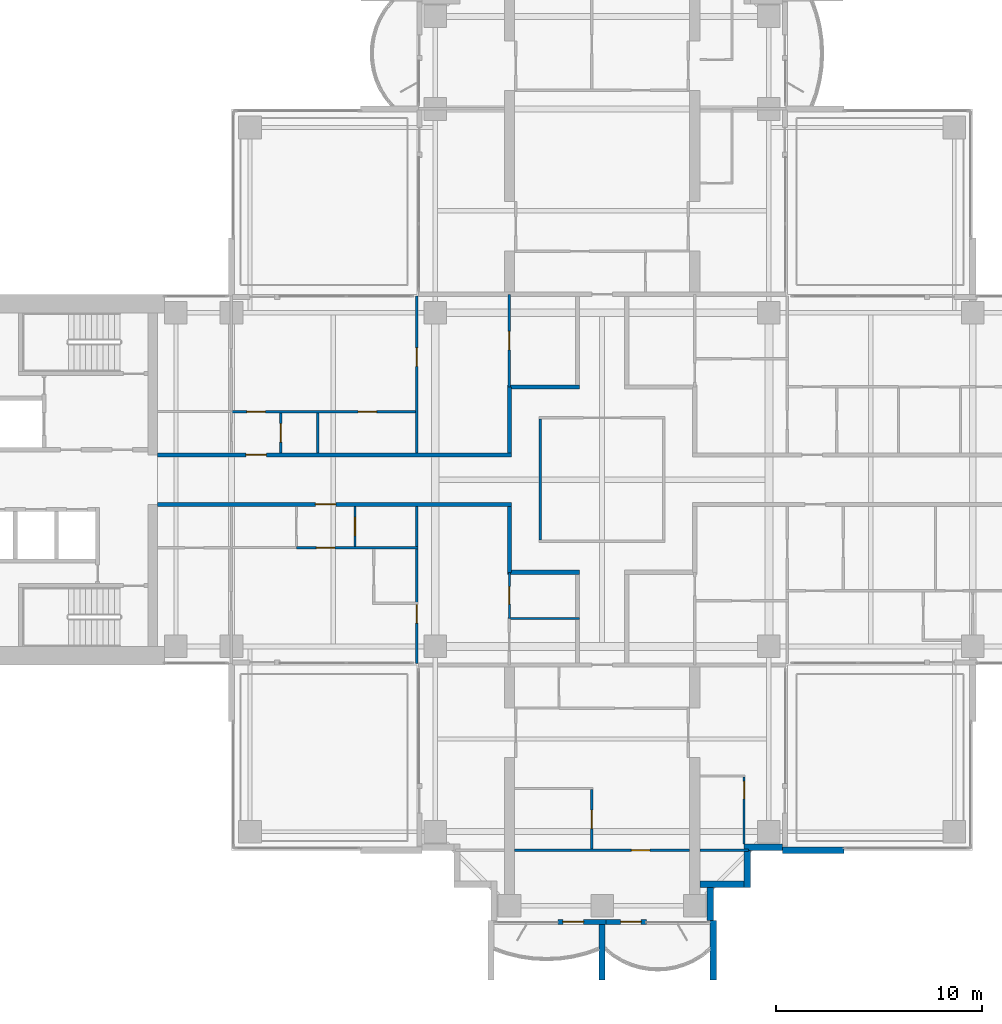
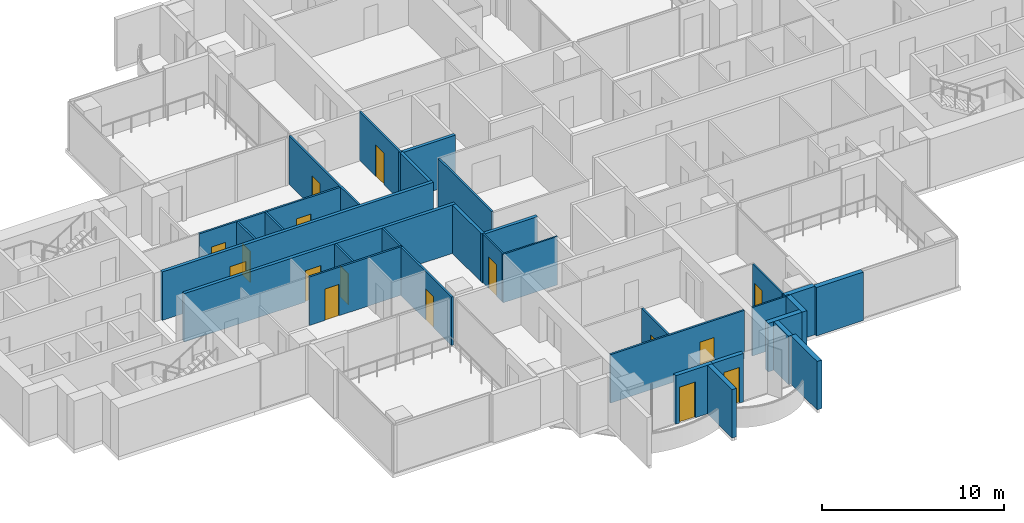
# One storey, part 10 of 19: 30 walls, 16 doors, 16 openings.
"""IFC4 building model written with IfcOpenShell, lengths in metres."""

from ifc_helpers import new_model, si_unit, direction, frame, frame_2d, origin, place, context, subcontext, project, spatial, rectangle, extrude, material, layer, layer_set, type_object, element, fill, save


model = new_model("IFC4")

# Units and contexts
model_context = context("Model", 3, precision=1e-05, world=origin(), true_north=direction((0.0, 1.0)))
body_context = subcontext(model_context, "Body", "Model", "MODEL_VIEW")
ifc_project = project(units=[si_unit("LENGTHUNIT", "METRE"), si_unit("AREAUNIT", "SQUARE_METRE"), si_unit("VOLUMEUNIT", "CUBIC_METRE"), si_unit("PLANEANGLEUNIT", "RADIAN"), si_unit("MASSUNIT", "GRAM", prefix="KILO")], contexts=[model_context])

# Site, building, storey
site_placement = place(None, origin())
site = spatial("IfcSite", under=ifc_project, at=site_placement, CompositionType="ELEMENT")
building_placement = place(site_placement, origin())
building = spatial("IfcBuilding", under=site, at=building_placement, Name="Perihelion Cross Residences", CompositionType="ELEMENT")
storey_placement = place(building_placement, frame((0.0, 0.0, 112.89990234375)))
storey = spatial("IfcBuildingStorey", under=building, at=storey_placement, Name="L26", CompositionType="ELEMENT", Elevation=112.89990234375)

# Wall, opening, door
ifc_material_1 = material(Name="Plasterboard partition")
ifc_layer_1 = layer(ifc_material_1, 0.199951171875)
ifc_layer_set_1 = layer_set([ifc_layer_1], Name="Apartment separation wall 200")
wall_type_1 = type_object("IfcWallType", Name="Apartment separation wall 200", PredefinedType="PARTITIONING", material=ifc_layer_set_1)
wall_1_placement = place(storey_placement, frame((-21.60009765625, 1.199951171875, 0.0), z_axis=(0.0, 0.0, 1.0), x_axis=(1.0, 0.0, 0.0)))
wall_1 = element("IfcWall", 1, at=wall_1_placement, inside=storey, type_object=wall_type_1, Name="Partition L26 W013", PredefinedType="PARTITIONING", context=body_context, shape_type="SweptSolid", body=[
    extrude(rectangle(XDim=17.2001953125, YDim=0.199951171875, at=frame_2d((8.60009765625, 0.0))), origin(), (0.0, 0.0, 1.0), 3.25),
])
opening_1_placement = place(wall_1_placement, frame((4.300048828125, 0.0, 0.0)))
opening_1 = element("IfcOpeningElement", 2, at=opening_1_placement, cuts=wall_1, Name="Opening L26.A51", PredefinedType="OPENING", context=body_context, shape_type="SweptSolid", body=[
    extrude(rectangle(XDim=1.0, YDim=2.10009765625, at=frame_2d((0.5, 1.050048828125))), frame((0.0, 0.10986328125, 0.0), z_axis=(0.0, -1.0, 0.0), x_axis=(1.0, 0.0, 0.0)), (0.0, 0.0, 1.0), 0.219970703125),
])
ifc_material_2 = material(Name="Timber door leaf", Category="wood")
door_type_1 = type_object("IfcDoorType", Name="Flat entrance door 1000 x 2100", OperationType="SINGLE_SWING_LEFT", PredefinedType="DOOR", material=ifc_material_2)
door_1_placement = place(opening_1_placement, origin())
door_1 = element("IfcDoor", 3, at=door_1_placement, inside=storey, type_object=door_type_1, Name="Door L26.A51", OperationType="SINGLE_SWING_LEFT", OverallHeight=2.10009765625, OverallWidth=1.0, PredefinedType="DOOR", context=body_context, shape_type="SweptSolid", body=[
    extrude(rectangle(XDim=1.0, YDim=2.10009765625, at=frame_2d((0.5, 1.050048828125))), frame((0.0, 0.02490234375, 0.0), z_axis=(0.0, -1.0, 0.0), x_axis=(1.0, 0.0, 0.0)), (0.0, 0.0, 1.0), 0.050048828125),
])
fill(opening_1, door_1)

# Walls
wall_2_placement = place(storey_placement, frame((-4.5, 1.300048828125, 0.0), z_axis=(0.0, 0.0, 1.0), x_axis=(0.0, 1.0, 0.0)))
element("IfcWall", 4, at=wall_2_placement, inside=storey, type_object=wall_type_1, Name="Partition L26 W014", PredefinedType="PARTITIONING", context=body_context, shape_type="SweptSolid", body=[
    extrude(rectangle(XDim=3.199951171875, YDim=0.199951171875, at=frame_2d((1.60009765625, 0.0))), origin(), (0.0, 0.0, 1.0), 3.25),
])
wall_3_placement = place(storey_placement, frame((-4.60009765625, 4.5, 0.0), z_axis=(0.0, 0.0, 1.0), x_axis=(1.0, 0.0, 0.0)))
element("IfcWall", 5, at=wall_3_placement, inside=storey, type_object=wall_type_1, Name="Partition L26 W015", PredefinedType="PARTITIONING", context=body_context, shape_type="SweptSolid", body=[
    extrude(rectangle(XDim=3.5, YDim=0.199951171875, at=frame_2d((1.75, 0.0))), origin(), (0.0, 0.0, 1.0), 3.25),
])

# Wall, opening, door
wall_4_placement = place(storey_placement, frame((-4.39990234375, -1.199951171875, 0.0), z_axis=(0.0, 0.0, 1.0), x_axis=(-1.0, 0.0, 0.0)))
wall_4 = element("IfcWall", 6, at=wall_4_placement, inside=storey, type_object=wall_type_1, Name="Partition L26 W017", PredefinedType="PARTITIONING", context=body_context, shape_type="SweptSolid", body=[
    extrude(rectangle(XDim=17.2001953125, YDim=0.199951171875, at=frame_2d((8.60009765625, 0.0))), origin(), (0.0, 0.0, 1.0), 3.25),
])
opening_2_placement = place(wall_4_placement, frame((8.52490234375, 0.0, 0.0)))
opening_2 = element("IfcOpeningElement", 7, at=opening_2_placement, cuts=wall_4, Name="Opening L26.A52", PredefinedType="OPENING", context=body_context, shape_type="SweptSolid", body=[
    extrude(rectangle(XDim=1.0, YDim=2.10009765625, at=frame_2d((0.5, 1.050048828125))), frame((0.0, 0.10986328125, 0.0), z_axis=(0.0, -1.0, 0.0), x_axis=(1.0, 0.0, 0.0)), (0.0, 0.0, 1.0), 0.219970703125),
])
door_2_placement = place(opening_2_placement, origin())
door_2 = element("IfcDoor", 8, at=door_2_placement, inside=storey, type_object=door_type_1, Name="Door L26.A52", OperationType="SINGLE_SWING_LEFT", OverallHeight=2.10009765625, OverallWidth=1.0, PredefinedType="DOOR", context=body_context, shape_type="SweptSolid", body=[
    extrude(rectangle(XDim=1.0, YDim=2.10009765625, at=frame_2d((0.5, 1.050048828125))), frame((0.0, 0.02490234375, 0.0), z_axis=(0.0, -1.0, 0.0), x_axis=(1.0, 0.0, 0.0)), (0.0, 0.0, 1.0), 0.050048828125),
])
fill(opening_2, door_2)

# Walls
wall_5_placement = place(storey_placement, frame((-4.5, -4.5, 0.0), z_axis=(0.0, 0.0, 1.0), x_axis=(0.0, 1.0, 0.0)))
element("IfcWall", 9, at=wall_5_placement, inside=storey, type_object=wall_type_1, Name="Partition L26 W018", PredefinedType="PARTITIONING", context=body_context, shape_type="SweptSolid", body=[
    extrude(rectangle(XDim=3.199951171875, YDim=0.199951171875, at=frame_2d((1.60009765625, 0.0))), origin(), (0.0, 0.0, 1.0), 3.25),
])
wall_6_placement = place(storey_placement, frame((-1.10009765625, -4.5, 0.0), z_axis=(0.0, 0.0, 1.0), x_axis=(-1.0, 0.0, 0.0)))
element("IfcWall", 10, at=wall_6_placement, inside=storey, type_object=wall_type_1, Name="Partition L26 W020", PredefinedType="PARTITIONING", context=body_context, shape_type="SweptSolid", body=[
    extrude(rectangle(XDim=3.5, YDim=0.199951171875, at=frame_2d((1.75, 0.0))), origin(), (0.0, 0.0, 1.0), 3.25),
])

# Wall, opening, door
ifc_material_3 = material(Name="Concrete C30/37, bronze-clad", Category="concrete")
ifc_layer_2 = layer(ifc_material_3, 0.25)
ifc_layer_set_2 = layer_set([ifc_layer_2], Name="Bronze-clad pier wall 250")
wall_type_2 = type_object("IfcWallType", Name="Bronze-clad pier wall 250", PredefinedType="SOLIDWALL", material=ifc_layer_set_2)
wall_7_placement = place(storey_placement, frame((-2.14990234375, -21.47509765625, 0.0), z_axis=(0.0, 0.0, 1.0), x_axis=(1.0, 0.0, 0.0)))
wall_7 = element("IfcWall", 11, at=wall_7_placement, inside=storey, type_object=wall_type_2, Name="Wall FW1 L26 south tip south bay 1 pier", PredefinedType="SOLIDWALL", context=body_context, shape_type="SweptSolid", body=[
    extrude(rectangle(XDim=2.349853515625, YDim=0.25, at=frame_2d((1.1748046875, 0.0))), origin(), (0.0, 0.0, 1.0), 3.25),
])
opening_3_placement = place(wall_7_placement, frame((0.25, 0.0, 0.0)))
opening_3 = element("IfcOpeningElement", 12, at=opening_3_placement, cuts=wall_7, Name="Opening L26.E11", PredefinedType="OPENING", context=body_context, shape_type="SweptSolid", body=[
    extrude(rectangle(XDim=1.0, YDim=2.39990234375, at=frame_2d((0.5, 1.199951171875))), frame((0.0, 0.135009765625, 0.0), z_axis=(0.0, -1.0, 0.0), x_axis=(1.0, 0.0, 0.0)), (0.0, 0.0, 1.0), 0.27001953125),
])
ifc_material_4 = material(Name="Bronze anodised aluminium, glazed", Category="aluminium")
door_type_2 = type_object("IfcDoorType", Name="Balcony door 1000 x 2400", OperationType="NOTDEFINED", PredefinedType="DOOR", material=ifc_material_4)
door_3_placement = place(opening_3_placement, origin())
door_3 = element("IfcDoor", 13, at=door_3_placement, inside=storey, type_object=door_type_2, Name="Door L26.E11 south tip south bay 1", OperationType="SINGLE_SWING_RIGHT", OverallHeight=2.39990234375, OverallWidth=1.0, PredefinedType="DOOR", context=body_context, shape_type="SweptSolid", body=[
    extrude(rectangle(XDim=1.0, YDim=2.39990234375, at=frame_2d((0.5, 1.199951171875))), frame((0.0, 0.02490234375, 0.0), z_axis=(0.0, -1.0, 0.0), x_axis=(1.0, 0.0, 0.0)), (0.0, 0.0, 1.0), 0.050048828125),
])
fill(opening_3, door_3)

wall_8_placement = place(storey_placement, frame((0.199951171875, -21.47509765625, 0.0), z_axis=(0.0, 0.0, 1.0), x_axis=(1.0, 0.0, 0.0)))
wall_8 = element("IfcWall", 14, at=wall_8_placement, inside=storey, type_object=wall_type_2, Name="Wall FW1 L26 south tip south bay 2 pier", PredefinedType="SOLIDWALL", context=body_context, shape_type="SweptSolid", body=[
    extrude(rectangle(XDim=1.949951171875, YDim=0.25, at=frame_2d((0.97509765625, 0.0))), origin(), (0.0, 0.0, 1.0), 3.25),
])
opening_4_placement = place(wall_8_placement, frame((0.699951171875, 0.0, 0.0)))
opening_4 = element("IfcOpeningElement", 15, at=opening_4_placement, cuts=wall_8, Name="Opening L26.E12", PredefinedType="OPENING", context=body_context, shape_type="SweptSolid", body=[
    extrude(rectangle(XDim=1.0, YDim=2.39990234375, at=frame_2d((0.5, 1.199951171875))), frame((0.0, 0.135009765625, 0.0), z_axis=(0.0, -1.0, 0.0), x_axis=(1.0, 0.0, 0.0)), (0.0, 0.0, 1.0), 0.27001953125),
])
door_4_placement = place(opening_4_placement, origin())
door_4 = element("IfcDoor", 16, at=door_4_placement, inside=storey, type_object=door_type_2, Name="Door L26.E12 south tip south bay 2", OperationType="SINGLE_SWING_LEFT", OverallHeight=2.39990234375, OverallWidth=1.0, PredefinedType="DOOR", context=body_context, shape_type="SweptSolid", body=[
    extrude(rectangle(XDim=1.0, YDim=2.39990234375, at=frame_2d((0.5, 1.199951171875))), frame((0.0, 0.02490234375, 0.0), z_axis=(0.0, -1.0, 0.0), x_axis=(1.0, 0.0, 0.0)), (0.0, 0.0, 1.0), 0.050048828125),
])
fill(opening_4, door_4)

# Walls
ifc_material_5 = material(Name="Concrete C30/37, bronze-clad", Category="concrete")
ifc_layer_3 = layer(ifc_material_5, 0.300048828125)
ifc_layer_set_3 = layer_set([ifc_layer_3], Name="Bronze-clad serration wall 300")
wall_type_3 = type_object("IfcWallType", Name="Bronze-clad serration wall 300", PredefinedType="SOLIDWALL", material=ifc_layer_set_3)
wall_9_placement = place(storey_placement, frame((5.25, -21.419921875, 0.0), z_axis=(0.0, 0.0, 1.0), x_axis=(0.0, 1.0, 0.0)))
element("IfcWall", 17, at=wall_9_placement, inside=storey, type_object=wall_type_3, Name="Wall SR1 L26 south corner south-east 1", PredefinedType="SOLIDWALL", context=body_context, shape_type="SweptSolid", body=[
    extrude(rectangle(XDim=1.619873046875, YDim=0.300048828125, at=frame_2d((0.81005859375, 0.0))), origin(), (0.0, 0.0, 1.0), 3.25),
])
wall_10_placement = place(storey_placement, frame((4.75, -19.64990234375, 0.0), z_axis=(0.0, 0.0, 1.0), x_axis=(1.0, 0.0, 0.0)))
element("IfcWall", 18, at=wall_10_placement, inside=storey, type_object=wall_type_3, Name="Wall SR1 L26 south corner south-east 2", PredefinedType="SOLIDWALL", context=body_context, shape_type="SweptSolid", body=[
    extrude(rectangle(XDim=2.14990234375, YDim=0.300048828125, at=frame_2d((1.074951171875, 0.0))), origin(), (0.0, 0.0, 1.0), 3.25),
])
wall_11_placement = place(storey_placement, frame((7.050048828125, -19.800048828125, 0.0), z_axis=(0.0, 0.0, 1.0), x_axis=(0.0, 1.0, 0.0)))
element("IfcWall", 19, at=wall_11_placement, inside=storey, type_object=wall_type_3, Name="Wall SR1 L26 south corner south-east 3", PredefinedType="SOLIDWALL", context=body_context, shape_type="SweptSolid", body=[
    extrude(rectangle(XDim=1.800048828125, YDim=0.300048828125, at=frame_2d((0.89990234375, 0.0))), origin(), (0.0, 0.0, 1.0), 3.25),
])
wall_12_placement = place(storey_placement, frame((6.89990234375, -17.85009765625, 0.0), z_axis=(0.0, 0.0, 1.0), x_axis=(1.0, 0.0, 0.0)))
element("IfcWall", 20, at=wall_12_placement, inside=storey, type_object=wall_type_3, Name="Wall SR1 L26 south corner south-east 4", PredefinedType="SOLIDWALL", context=body_context, shape_type="SweptSolid", body=[
    extrude(rectangle(XDim=1.85009765625, YDim=0.300048828125, at=frame_2d((0.925048828125, 0.0))), origin(), (0.0, 0.0, 1.0), 3.25),
])
ifc_material_6 = material(Name="Plasterboard partition")
ifc_layer_4 = layer(ifc_material_6, 0.1201171875)
ifc_layer_set_4 = layer_set([ifc_layer_4], Name="Partition wall 120")
wall_type_4 = type_object("IfcWallType", Name="Partition wall 120", PredefinedType="PARTITIONING", material=ifc_layer_set_4)
wall_13_placement = place(storey_placement, frame((-3.0, 2.93994140625, 0.0), z_axis=(0.0, 0.0, 1.0), x_axis=(0.0, -1.0, 0.0)))
element("IfcWall", 21, at=wall_13_placement, inside=storey, type_object=wall_type_4, Name="Partition L26 W004", PredefinedType="PARTITIONING", context=body_context, shape_type="SweptSolid", body=[
    extrude(rectangle(XDim=5.8798828125, YDim=0.1201171875, at=frame_2d((2.93994140625, 0.0))), origin(), (0.0, 0.0, 1.0), 3.25),
])
wall_14_placement = place(storey_placement, frame((-13.800048828125, 1.300048828125, 0.0), z_axis=(0.0, 0.0, 1.0), x_axis=(0.0, 1.0, 0.0)))
element("IfcWall", 22, at=wall_14_placement, inside=storey, type_object=wall_type_4, Name="Partition L26 W045", PredefinedType="PARTITIONING", context=body_context, shape_type="SweptSolid", body=[
    extrude(rectangle(XDim=1.93994140625, YDim=0.1201171875, at=frame_2d((0.969970703125, 0.0))), origin(), (0.0, 0.0, 1.0), 3.25),
])

# Wall, openings, doors
wall_15_placement = place(storey_placement, frame((-18.0, 3.300048828125, 0.0), z_axis=(0.0, 0.0, 1.0), x_axis=(1.0, 0.0, 0.0)))
wall_15 = element("IfcWall", 23, at=wall_15_placement, inside=storey, type_object=wall_type_4, Name="Partition L26 W046", PredefinedType="PARTITIONING", context=body_context, shape_type="SweptSolid", body=[
    extrude(rectangle(XDim=9.06005859375, YDim=0.1201171875, at=frame_2d((4.530029296875, 0.0))), origin(), (0.0, 0.0, 1.0), 3.25),
])
opening_5_placement = place(wall_15_placement, frame((6.14990234375, 0.0, 0.0)))
opening_5 = element("IfcOpeningElement", 24, at=opening_5_placement, cuts=wall_15, Name="Opening L26.A20", PredefinedType="OPENING", context=body_context, shape_type="SweptSolid", body=[
    extrude(rectangle(XDim=0.89990234375, YDim=2.10009765625, at=frame_2d((0.449951171875, 1.050048828125))), frame((0.0, 0.070068359375, 0.0), z_axis=(0.0, -1.0, 0.0), x_axis=(1.0, 0.0, 0.0)), (0.0, 0.0, 1.0), 0.14013671875),
])
opening_6_placement = place(wall_15_placement, frame((0.75, 0.0, 0.0)))
opening_6 = element("IfcOpeningElement", 25, at=opening_6_placement, cuts=wall_15, Name="Opening L26.A23", PredefinedType="OPENING", context=body_context, shape_type="SweptSolid", body=[
    extrude(rectangle(XDim=0.89990234375, YDim=2.10009765625, at=frame_2d((0.449951171875, 1.050048828125))), frame((0.0, 0.070068359375, 0.0), z_axis=(0.0, -1.0, 0.0), x_axis=(1.0, 0.0, 0.0)), (0.0, 0.0, 1.0), 0.14013671875),
])
ifc_material_7 = material(Name="Timber door leaf", Category="wood")
door_type_3 = type_object("IfcDoorType", Name="Interior room door 900 x 2100", OperationType="SINGLE_SWING_LEFT", PredefinedType="DOOR", material=ifc_material_7)
door_5_placement = place(opening_5_placement, origin())
door_5 = element("IfcDoor", 26, at=door_5_placement, inside=storey, type_object=door_type_3, Name="Door L26.A20", OperationType="SINGLE_SWING_LEFT", OverallHeight=2.10009765625, OverallWidth=0.89990234375, PredefinedType="DOOR", context=body_context, shape_type="SweptSolid", body=[
    extrude(rectangle(XDim=0.89990234375, YDim=2.10009765625, at=frame_2d((0.449951171875, 1.050048828125))), frame((0.0, 0.02490234375, 0.0), z_axis=(0.0, -1.0, 0.0), x_axis=(1.0, 0.0, 0.0)), (0.0, 0.0, 1.0), 0.050048828125),
])
fill(opening_5, door_5)
door_6_placement = place(opening_6_placement, origin())
door_6 = element("IfcDoor", 27, at=door_6_placement, inside=storey, type_object=door_type_3, Name="Door L26.A23", OperationType="SINGLE_SWING_RIGHT", OverallHeight=2.10009765625, OverallWidth=0.89990234375, PredefinedType="DOOR", context=body_context, shape_type="SweptSolid", body=[
    extrude(rectangle(XDim=0.89990234375, YDim=2.10009765625, at=frame_2d((0.449951171875, 1.050048828125))), frame((0.0, 0.02490234375, 0.0), z_axis=(0.0, -1.0, 0.0), x_axis=(1.0, 0.0, 0.0)), (0.0, 0.0, 1.0), 0.050048828125),
])
fill(opening_6, door_6)

# Wall, opening, door
wall_16_placement = place(storey_placement, frame((-9.0, 8.919921875, 0.0), z_axis=(0.0, 0.0, 1.0), x_axis=(0.0, -1.0, 0.0)))
wall_16 = element("IfcWall", 28, at=wall_16_placement, inside=storey, type_object=wall_type_4, Name="Partition L26 W047", PredefinedType="PARTITIONING", context=body_context, shape_type="SweptSolid", body=[
    extrude(rectangle(XDim=7.619873046875, YDim=0.1201171875, at=frame_2d((3.81005859375, 0.0))), origin(), (0.0, 0.0, 1.0), 3.25),
])
opening_7_placement = place(wall_16_placement, frame((2.52001953125, 0.0, 0.0)))
opening_7 = element("IfcOpeningElement", 29, at=opening_7_placement, cuts=wall_16, Name="Opening L26.A21", PredefinedType="OPENING", context=body_context, shape_type="SweptSolid", body=[
    extrude(rectangle(XDim=0.89990234375, YDim=2.10009765625, at=frame_2d((0.449951171875, 1.050048828125))), frame((0.0, 0.070068359375, 0.0), z_axis=(0.0, -1.0, 0.0), x_axis=(1.0, 0.0, 0.0)), (0.0, 0.0, 1.0), 0.14013671875),
])
door_7_placement = place(opening_7_placement, origin())
door_7 = element("IfcDoor", 30, at=door_7_placement, inside=storey, type_object=door_type_3, Name="Door L26.A21", OperationType="SINGLE_SWING_LEFT", OverallHeight=2.10009765625, OverallWidth=0.89990234375, PredefinedType="DOOR", context=body_context, shape_type="SweptSolid", body=[
    extrude(rectangle(XDim=0.89990234375, YDim=2.10009765625, at=frame_2d((0.449951171875, 1.050048828125))), frame((0.0, 0.02490234375, 0.0), z_axis=(0.0, -1.0, 0.0), x_axis=(1.0, 0.0, 0.0)), (0.0, 0.0, 1.0), 0.050048828125),
])
fill(opening_7, door_7)

wall_17_placement = place(storey_placement, frame((-15.60009765625, 1.300048828125, 0.0), z_axis=(0.0, 0.0, 1.0), x_axis=(0.0, 1.0, 0.0)))
wall_17 = element("IfcWall", 31, at=wall_17_placement, inside=storey, type_object=wall_type_4, Name="Partition L26 W048", PredefinedType="PARTITIONING", context=body_context, shape_type="SweptSolid", body=[
    extrude(rectangle(XDim=1.93994140625, YDim=0.1201171875, at=frame_2d((0.969970703125, 0.0))), origin(), (0.0, 0.0, 1.0), 3.25),
])
opening_8_placement = place(wall_17_placement, frame((0.52001953125, 0.0, 0.0)))
opening_8 = element("IfcOpeningElement", 32, at=opening_8_placement, cuts=wall_17, Name="Opening L26.A25", PredefinedType="OPENING", context=body_context, shape_type="SweptSolid", body=[
    extrude(rectangle(XDim=0.89990234375, YDim=2.10009765625, at=frame_2d((0.449951171875, 1.050048828125))), frame((0.0, 0.070068359375, 0.0), z_axis=(0.0, -1.0, 0.0), x_axis=(1.0, 0.0, 0.0)), (0.0, 0.0, 1.0), 0.14013671875),
])
door_8_placement = place(opening_8_placement, origin())
door_8 = element("IfcDoor", 33, at=door_8_placement, inside=storey, type_object=door_type_3, Name="Door L26.A25", OperationType="SINGLE_SWING_LEFT", OverallHeight=2.10009765625, OverallWidth=0.89990234375, PredefinedType="DOOR", context=body_context, shape_type="SweptSolid", body=[
    extrude(rectangle(XDim=0.89990234375, YDim=2.10009765625, at=frame_2d((0.449951171875, 1.050048828125))), frame((0.0, 0.02490234375, 0.0), z_axis=(0.0, -1.0, 0.0), x_axis=(1.0, 0.0, 0.0)), (0.0, 0.0, 1.0), 0.050048828125),
])
fill(opening_8, door_8)

wall_18_placement = place(storey_placement, frame((-4.5, 9.0, 0.0), z_axis=(0.0, 0.0, 1.0), x_axis=(0.0, -1.0, 0.0)))
wall_18 = element("IfcWall", 34, at=wall_18_placement, inside=storey, type_object=wall_type_4, Name="Partition L26 W052", PredefinedType="PARTITIONING", context=body_context, shape_type="SweptSolid", body=[
    extrude(rectangle(XDim=4.5, YDim=0.1201171875, at=frame_2d((2.25, 0.0))), origin(), (0.0, 0.0, 1.0), 3.25),
])
opening_9_placement = place(wall_18_placement, frame((1.800048828125, 0.0, 0.0)))
opening_9 = element("IfcOpeningElement", 35, at=opening_9_placement, cuts=wall_18, Name="Opening L26.A22", PredefinedType="OPENING", context=body_context, shape_type="SweptSolid", body=[
    extrude(rectangle(XDim=0.89990234375, YDim=2.10009765625, at=frame_2d((0.449951171875, 1.050048828125))), frame((0.0, 0.070068359375, 0.0), z_axis=(0.0, -1.0, 0.0), x_axis=(1.0, 0.0, 0.0)), (0.0, 0.0, 1.0), 0.14013671875),
])
door_9_placement = place(opening_9_placement, origin())
door_9 = element("IfcDoor", 36, at=door_9_placement, inside=storey, type_object=door_type_3, Name="Door L26.A22", OperationType="SINGLE_SWING_LEFT", OverallHeight=2.10009765625, OverallWidth=0.89990234375, PredefinedType="DOOR", context=body_context, shape_type="SweptSolid", body=[
    extrude(rectangle(XDim=0.89990234375, YDim=2.10009765625, at=frame_2d((0.449951171875, 1.050048828125))), frame((0.0, 0.02490234375, 0.0), z_axis=(0.0, -1.0, 0.0), x_axis=(1.0, 0.0, 0.0)), (0.0, 0.0, 1.0), 0.050048828125),
])
fill(opening_9, door_9)

wall_19_placement = place(storey_placement, frame((-12.0, -3.239990234375, 0.0), z_axis=(0.0, 0.0, 1.0), x_axis=(0.0, 1.0, 0.0)))
wall_19 = element("IfcWall", 37, at=wall_19_placement, inside=storey, type_object=wall_type_4, Name="Partition L26 W053", PredefinedType="PARTITIONING", context=body_context, shape_type="SweptSolid", body=[
    extrude(rectangle(XDim=1.93994140625, YDim=0.1201171875, at=frame_2d((0.969970703125, 0.0))), origin(), (0.0, 0.0, 1.0), 3.25),
])
opening_10_placement = place(wall_19_placement, frame((0.52001953125, 0.0, 0.0)))
opening_10 = element("IfcOpeningElement", 38, at=opening_10_placement, cuts=wall_19, Name="Opening L26.A29", PredefinedType="OPENING", context=body_context, shape_type="SweptSolid", body=[
    extrude(rectangle(XDim=0.89990234375, YDim=2.10009765625, at=frame_2d((0.449951171875, 1.050048828125))), frame((0.0, 0.070068359375, 0.0), z_axis=(0.0, -1.0, 0.0), x_axis=(1.0, 0.0, 0.0)), (0.0, 0.0, 1.0), 0.14013671875),
])
door_10_placement = place(opening_10_placement, origin())
door_10 = element("IfcDoor", 39, at=door_10_placement, inside=storey, type_object=door_type_3, Name="Door L26.A29", OperationType="SINGLE_SWING_LEFT", OverallHeight=2.10009765625, OverallWidth=0.89990234375, PredefinedType="DOOR", context=body_context, shape_type="SweptSolid", body=[
    extrude(rectangle(XDim=0.89990234375, YDim=2.10009765625, at=frame_2d((0.449951171875, 1.050048828125))), frame((0.0, 0.02490234375, 0.0), z_axis=(0.0, -1.0, 0.0), x_axis=(1.0, 0.0, 0.0)), (0.0, 0.0, 1.0), 0.050048828125),
])
fill(opening_10, door_10)

wall_20_placement = place(storey_placement, frame((-8.93994140625, -3.300048828125, 0.0), z_axis=(0.0, 0.0, 1.0), x_axis=(-1.0, 0.0, 0.0)))
wall_20 = element("IfcWall", 40, at=wall_20_placement, inside=storey, type_object=wall_type_4, Name="Partition L26 W054", PredefinedType="PARTITIONING", context=body_context, shape_type="SweptSolid", body=[
    extrude(rectangle(XDim=5.91015625, YDim=0.1201171875, at=frame_2d((2.955078125, 0.0))), origin(), (0.0, 0.0, 1.0), 3.25),
])
opening_11_placement = place(wall_20_placement, frame((4.034912109375, 0.0, 0.0)))
opening_11 = element("IfcOpeningElement", 41, at=opening_11_placement, cuts=wall_20, Name="Opening L26.A34", PredefinedType="OPENING", context=body_context, shape_type="SweptSolid", body=[
    extrude(rectangle(XDim=0.89990234375, YDim=2.10009765625, at=frame_2d((0.449951171875, 1.050048828125))), frame((0.0, 0.070068359375, 0.0), z_axis=(0.0, -1.0, 0.0), x_axis=(1.0, 0.0, 0.0)), (0.0, 0.0, 1.0), 0.14013671875),
])
door_11_placement = place(opening_11_placement, origin())
door_11 = element("IfcDoor", 42, at=door_11_placement, inside=storey, type_object=door_type_3, Name="Door L26.A34", OperationType="SINGLE_SWING_RIGHT", OverallHeight=2.10009765625, OverallWidth=0.89990234375, PredefinedType="DOOR", context=body_context, shape_type="SweptSolid", body=[
    extrude(rectangle(XDim=0.89990234375, YDim=2.10009765625, at=frame_2d((0.449951171875, 1.050048828125))), frame((0.0, 0.02490234375, 0.0), z_axis=(0.0, -1.0, 0.0), x_axis=(1.0, 0.0, 0.0)), (0.0, 0.0, 1.0), 0.050048828125),
])
fill(opening_11, door_11)

wall_21_placement = place(storey_placement, frame((-9.0, -1.300048828125, 0.0), z_axis=(0.0, 0.0, 1.0), x_axis=(0.0, -1.0, 0.0)))
wall_21 = element("IfcWall", 43, at=wall_21_placement, inside=storey, type_object=wall_type_4, Name="Partition L26 W055", PredefinedType="PARTITIONING", context=body_context, shape_type="SweptSolid", body=[
    extrude(rectangle(XDim=7.619873046875, YDim=0.1201171875, at=frame_2d((3.81005859375, 0.0))), origin(), (0.0, 0.0, 1.0), 3.25),
])
opening_12_placement = place(wall_21_placement, frame((4.77001953125, 0.0, 0.0)))
opening_12 = element("IfcOpeningElement", 44, at=opening_12_placement, cuts=wall_21, Name="Opening L26.A28", PredefinedType="OPENING", context=body_context, shape_type="SweptSolid", body=[
    extrude(rectangle(XDim=0.89990234375, YDim=2.10009765625, at=frame_2d((0.449951171875, 1.050048828125))), frame((0.0, 0.070068359375, 0.0), z_axis=(0.0, -1.0, 0.0), x_axis=(1.0, 0.0, 0.0)), (0.0, 0.0, 1.0), 0.14013671875),
])
door_12_placement = place(opening_12_placement, origin())
door_12 = element("IfcDoor", 45, at=door_12_placement, inside=storey, type_object=door_type_3, Name="Door L26.A28", OperationType="SINGLE_SWING_RIGHT", OverallHeight=2.10009765625, OverallWidth=0.89990234375, PredefinedType="DOOR", context=body_context, shape_type="SweptSolid", body=[
    extrude(rectangle(XDim=0.89990234375, YDim=2.10009765625, at=frame_2d((0.449951171875, 1.050048828125))), frame((0.0, 0.02490234375, 0.0), z_axis=(0.0, -1.0, 0.0), x_axis=(1.0, 0.0, 0.0)), (0.0, 0.0, 1.0), 0.050048828125),
])
fill(opening_12, door_12)

wall_22_placement = place(storey_placement, frame((-0.5, -17.93994140625, 0.0), z_axis=(0.0, 0.0, 1.0), x_axis=(0.0, 1.0, 0.0)))
wall_22 = element("IfcWall", 46, at=wall_22_placement, inside=storey, type_object=wall_type_4, Name="Partition L26 W085", PredefinedType="PARTITIONING", context=body_context, shape_type="SweptSolid", body=[
    extrude(rectangle(XDim=2.8798828125, YDim=0.1201171875, at=frame_2d((1.43994140625, 0.0))), origin(), (0.0, 0.0, 1.0), 3.25),
])
opening_13_placement = place(wall_22_placement, frame((0.989990234375, 0.0, 0.0)))
opening_13 = element("IfcOpeningElement", 47, at=opening_13_placement, cuts=wall_22, Name="Opening L26.A46", PredefinedType="OPENING", context=body_context, shape_type="SweptSolid", body=[
    extrude(rectangle(XDim=0.89990234375, YDim=2.10009765625, at=frame_2d((0.449951171875, 1.050048828125))), frame((0.0, 0.070068359375, 0.0), z_axis=(0.0, -1.0, 0.0), x_axis=(1.0, 0.0, 0.0)), (0.0, 0.0, 1.0), 0.14013671875),
])
door_13_placement = place(opening_13_placement, origin())
door_13 = element("IfcDoor", 48, at=door_13_placement, inside=storey, type_object=door_type_3, Name="Door L26.A46", OperationType="SINGLE_SWING_RIGHT", OverallHeight=2.10009765625, OverallWidth=0.89990234375, PredefinedType="DOOR", context=body_context, shape_type="SweptSolid", body=[
    extrude(rectangle(XDim=0.89990234375, YDim=2.10009765625, at=frame_2d((0.449951171875, 1.050048828125))), frame((0.0, 0.02490234375, 0.0), z_axis=(0.0, -1.0, 0.0), x_axis=(1.0, 0.0, 0.0)), (0.0, 0.0, 1.0), 0.050048828125),
])
fill(opening_13, door_13)

wall_23_placement = place(storey_placement, frame((4.25, -18.0, 0.0), z_axis=(0.0, 0.0, 1.0), x_axis=(-1.0, 0.0, 0.0)))
wall_23 = element("IfcWall", 49, at=wall_23_placement, inside=storey, type_object=wall_type_4, Name="Partition L26 W087", PredefinedType="PARTITIONING", context=body_context, shape_type="SweptSolid", body=[
    extrude(rectangle(XDim=8.5, YDim=0.1201171875, at=frame_2d((4.25, 0.0))), origin(), (0.0, 0.0, 1.0), 3.25),
])
opening_14_placement = place(wall_23_placement, frame((1.925048828125, 0.0, 0.0)))
opening_14 = element("IfcOpeningElement", 50, at=opening_14_placement, cuts=wall_23, Name="Opening L26.A47", PredefinedType="OPENING", context=body_context, shape_type="SweptSolid", body=[
    extrude(rectangle(XDim=0.89990234375, YDim=2.10009765625, at=frame_2d((0.449951171875, 1.050048828125))), frame((0.0, 0.070068359375, 0.0), z_axis=(0.0, -1.0, 0.0), x_axis=(1.0, 0.0, 0.0)), (0.0, 0.0, 1.0), 0.14013671875),
])
door_14_placement = place(opening_14_placement, origin())
door_14 = element("IfcDoor", 51, at=door_14_placement, inside=storey, type_object=door_type_3, Name="Door L26.A47", OperationType="SINGLE_SWING_RIGHT", OverallHeight=2.10009765625, OverallWidth=0.89990234375, PredefinedType="DOOR", context=body_context, shape_type="SweptSolid", body=[
    extrude(rectangle(XDim=0.89990234375, YDim=2.10009765625, at=frame_2d((0.449951171875, 1.050048828125))), frame((0.0, 0.02490234375, 0.0), z_axis=(0.0, -1.0, 0.0), x_axis=(1.0, 0.0, 0.0)), (0.0, 0.0, 1.0), 0.050048828125),
])
fill(opening_14, door_14)

# Walls
ifc_material_8 = material(Name="Precast concrete C50/60", Category="concrete")
ifc_layer_5 = layer(ifc_material_8, 0.300048828125)
ifc_layer_set_5 = layer_set([ifc_layer_5], Name="Precast concrete C50/60 blade wall 300")
wall_type_5 = type_object("IfcWallType", Name="Precast concrete C50/60 blade wall 300", PredefinedType="SOLIDWALL", material=ifc_layer_set_5)
wall_24_placement = place(storey_placement, frame((0.0, -21.60009765625, 0.0), z_axis=(0.0, 0.0, 1.0), x_axis=(0.0, -1.0, 0.0)))
element("IfcWall", 52, at=wall_24_placement, inside=storey, type_object=wall_type_5, Name="Wall BL1 L26 no. 8", PredefinedType="SOLIDWALL", context=body_context, shape_type="SweptSolid", body=[
    extrude(rectangle(XDim=2.699951171875, YDim=0.300048828125, at=frame_2d((1.35009765625, 0.0))), origin(), (0.0, 0.0, 1.0), 3.25),
])
wall_25_placement = place(storey_placement, frame((5.39990234375, -21.419921875, 0.0), z_axis=(0.0, 0.0, 1.0), x_axis=(0.0, -1.0, 0.0)))
element("IfcWall", 53, at=wall_25_placement, inside=storey, type_object=wall_type_5, Name="Wall BL1 L26 no. 12", PredefinedType="SOLIDWALL", context=body_context, shape_type="SweptSolid", body=[
    extrude(rectangle(XDim=2.880126953125, YDim=0.300048828125, at=frame_2d((1.43994140625, 0.0))), origin(), (0.0, 0.0, 1.0), 3.25),
])
wall_26_placement = place(storey_placement, frame((8.75, -18.0, 0.0), z_axis=(0.0, 0.0, 1.0), x_axis=(1.0, 0.0, 0.0)))
element("IfcWall", 54, at=wall_26_placement, inside=storey, type_object=wall_type_5, Name="Wall BL1 L26 no. 14", PredefinedType="SOLIDWALL", context=body_context, shape_type="SweptSolid", body=[
    extrude(rectangle(XDim=2.989990234375, YDim=0.300048828125, at=frame_2d((1.4951171875, 0.0))), origin(), (0.0, 0.0, 1.0), 3.25),
])

# Wall, opening, door
ifc_material_9 = material(Name="Plasterboard partition")
ifc_layer_6 = layer(ifc_material_9, 0.10009765625)
ifc_layer_set_6 = layer_set([ifc_layer_6], Name="Wet room wall 100")
wall_type_6 = type_object("IfcWallType", Name="Wet room wall 100", PredefinedType="PARTITIONING", material=ifc_layer_set_6)
wall_27_placement = place(storey_placement, frame((-4.5, -4.5, 0.0), z_axis=(0.0, 0.0, 1.0), x_axis=(0.0, -1.0, 0.0)))
wall_27 = element("IfcWall", 55, at=wall_27_placement, inside=storey, type_object=wall_type_6, Name="Partition L26 W063", PredefinedType="PARTITIONING", context=body_context, shape_type="SweptSolid", body=[
    extrude(rectangle(XDim=2.25, YDim=0.10009765625, at=frame_2d((1.125, 0.0))), origin(), (0.0, 0.0, 1.0), 3.25),
])
opening_15_placement = place(wall_27_placement, frame((0.699951171875, 0.0, 0.0)))
opening_15 = element("IfcOpeningElement", 56, at=opening_15_placement, cuts=wall_27, Name="Opening L26.A27", PredefinedType="OPENING", context=body_context, shape_type="SweptSolid", body=[
    extrude(rectangle(XDim=0.85009765625, YDim=2.10009765625, at=frame_2d((0.425048828125, 1.050048828125))), frame((0.0, 0.06005859375, 0.0), z_axis=(0.0, -1.0, 0.0), x_axis=(1.0, 0.0, 0.0)), (0.0, 0.0, 1.0), 0.1201171875),
])
ifc_material_10 = material(Name="Timber door leaf", Category="wood")
door_type_4 = type_object("IfcDoorType", Name="Interior bathroom door 850 x 2100", OperationType="SINGLE_SWING_LEFT", PredefinedType="DOOR", material=ifc_material_10)
door_15_placement = place(opening_15_placement, origin())
door_15 = element("IfcDoor", 57, at=door_15_placement, inside=storey, type_object=door_type_4, Name="Door L26.A27", OperationType="SINGLE_SWING_LEFT", OverallHeight=2.10009765625, OverallWidth=0.85009765625, PredefinedType="DOOR", context=body_context, shape_type="SweptSolid", body=[
    extrude(rectangle(XDim=0.85009765625, YDim=2.10009765625, at=frame_2d((0.425048828125, 1.050048828125))), frame((0.0, 0.02490234375, 0.0), z_axis=(0.0, -1.0, 0.0), x_axis=(1.0, 0.0, 0.0)), (0.0, 0.0, 1.0), 0.050048828125),
])
fill(opening_15, door_15)

# Wall
wall_28_placement = place(storey_placement, frame((-1.10009765625, -6.75, 0.0), z_axis=(0.0, 0.0, 1.0), x_axis=(-1.0, 0.0, 0.0)))
element("IfcWall", 58, at=wall_28_placement, inside=storey, type_object=wall_type_6, Name="Partition L26 W065", PredefinedType="PARTITIONING", context=body_context, shape_type="SweptSolid", body=[
    extrude(rectangle(XDim=3.4599609375, YDim=0.10009765625, at=frame_2d((1.72998046875, 0.0))), origin(), (0.0, 0.0, 1.0), 3.25),
])

# Wall, opening, door
wall_29_placement = place(storey_placement, frame((6.89990234375, -17.699951171875, 0.0), z_axis=(0.0, 0.0, 1.0), x_axis=(0.0, 1.0, 0.0)))
wall_29 = element("IfcWall", 59, at=wall_29_placement, inside=storey, type_object=wall_type_6, Name="Partition L26 W088", PredefinedType="PARTITIONING", context=body_context, shape_type="SweptSolid", body=[
    extrude(rectangle(XDim=3.25, YDim=0.10009765625, at=frame_2d((1.625, 0.0))), origin(), (0.0, 0.0, 1.0), 3.25),
])
opening_16_placement = place(wall_29_placement, frame((2.199951171875, 0.0, 0.0)))
opening_16 = element("IfcOpeningElement", 60, at=opening_16_placement, cuts=wall_29, Name="Opening L26.A48", PredefinedType="OPENING", context=body_context, shape_type="SweptSolid", body=[
    extrude(rectangle(XDim=0.85009765625, YDim=2.10009765625, at=frame_2d((0.425048828125, 1.050048828125))), frame((0.0, 0.06005859375, 0.0), z_axis=(0.0, -1.0, 0.0), x_axis=(1.0, 0.0, 0.0)), (0.0, 0.0, 1.0), 0.1201171875),
])
door_16_placement = place(opening_16_placement, origin())
door_16 = element("IfcDoor", 61, at=door_16_placement, inside=storey, type_object=door_type_4, Name="Door L26.A48", OperationType="SINGLE_SWING_LEFT", OverallHeight=2.10009765625, OverallWidth=0.85009765625, PredefinedType="DOOR", context=body_context, shape_type="SweptSolid", body=[
    extrude(rectangle(XDim=0.85009765625, YDim=2.10009765625, at=frame_2d((0.425048828125, 1.050048828125))), frame((0.0, 0.02490234375, 0.0), z_axis=(0.0, -1.0, 0.0), x_axis=(1.0, 0.0, 0.0)), (0.0, 0.0, 1.0), 0.050048828125),
])
fill(opening_16, door_16)

# Wall
wall_30_placement = place(storey_placement, frame((7.1201171875, -18.0, 0.0), z_axis=(0.0, 0.0, 1.0), x_axis=(-1.0, 0.0, 0.0)))
element("IfcWall", 62, at=wall_30_placement, inside=storey, type_object=wall_type_6, Name="Partition L26 W090", PredefinedType="PARTITIONING", context=body_context, shape_type="SweptSolid", body=[
    extrude(rectangle(XDim=2.3701171875, YDim=0.10009765625, at=frame_2d((1.18505859375, 0.0))), origin(), (0.0, 0.0, 1.0), 3.25),
])

save(model, "model.ifc")
